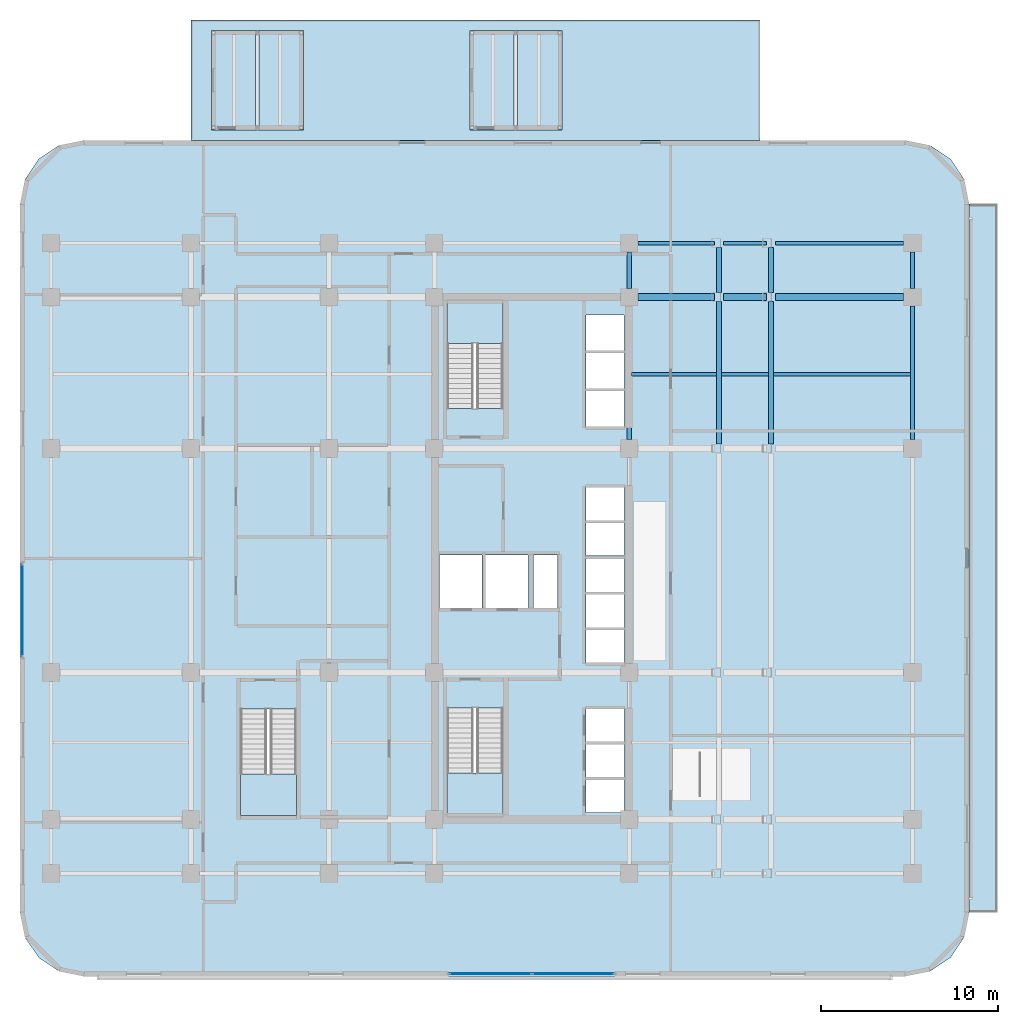
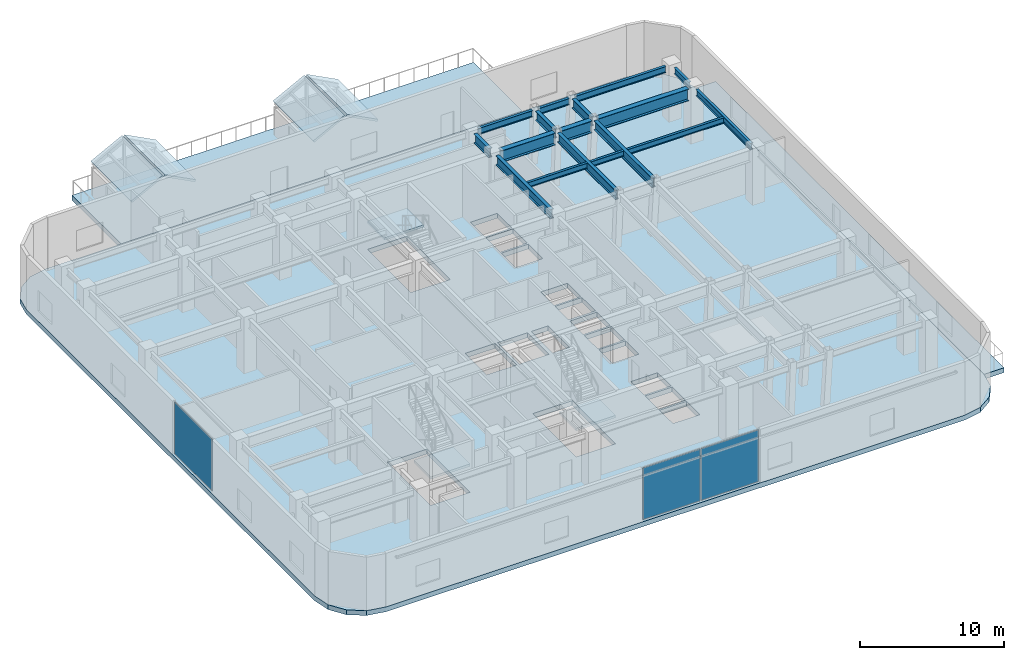
# One storey, part 6 of 18: 17 beams, 10 slabs, 3 plates, 5 elements without a shape of their own.
"""IFC4 building model written with IfcOpenShell, lengths in metres."""

from ifc_helpers import new_model, si_unit, direction, frame, origin, origin_2d, place, context, subcontext, project, spatial, polyline, rectangle, i_section, outline, extrude, material, layer, layer_set, material_profile, profile_set, type_object, element, aggregate, save


model = new_model("IFC4")

# Units and contexts
model_context = context("Model", 3, precision=1e-05, world=origin(), true_north=direction((0.0, 1.0)))
body_context = subcontext(model_context, "Body", "Model", "MODEL_VIEW")
ifc_project = project(units=[si_unit("LENGTHUNIT", "METRE"), si_unit("AREAUNIT", "SQUARE_METRE"), si_unit("VOLUMEUNIT", "CUBIC_METRE"), si_unit("PLANEANGLEUNIT", "RADIAN"), si_unit("MASSUNIT", "GRAM", prefix="KILO")], contexts=[model_context])

# Site, building, storey
site_placement = place(None, origin())
site = spatial("IfcSite", under=ifc_project, at=site_placement, CompositionType="ELEMENT")
building_placement = place(site_placement, origin())
building = spatial("IfcBuilding", under=site, at=building_placement, Name="Ochreholt Gables", CompositionType="ELEMENT")
storey_placement = place(building_placement, frame((0.0, 0.0, 4.800048828125)))
storey = spatial("IfcBuildingStorey", under=building, at=storey_placement, Name="L01", CompositionType="ELEMENT", Elevation=4.800048828125)

# Beams
ifc_material_1 = material(Name="Steel CSA G40.21 350W", Category="steel")
ifc_material_profile_1 = material_profile(ifc_material_1, i_section(OverallWidth=0.39990234375, OverallDepth=1.0, WebThickness=0.0166015625, FlangeThickness=0.031005859375, at=origin_2d()), Name="W1000X321")
ifc_profile_set_1 = profile_set([ifc_material_profile_1], Name="Steel CSA G40.21 350W")
beam_type_1 = type_object("IfcBeamType", Name="BM-G-W1000", PredefinedType="BEAM", material=ifc_profile_set_1)
beam_1_placement = place(storey_placement, frame((35.69970703125, 38.75, 4.02001953125), z_axis=(1.0, 0.0, 0.0), x_axis=(0.0, 1.0, 0.0)))
element("IfcBeam", 1, at=beam_1_placement, inside=storey, type_object=beam_type_1, Name="L01 Beam BG-L01-C2EM-Y5", PredefinedType="BEAM", context=body_context, shape_type="SweptSolid", body=[
    extrude(i_section(OverallWidth=0.39990234375, OverallDepth=1.0, WebThickness=0.0166015625, FlangeThickness=0.031005859375, at=origin_2d()), origin(), (0.0, 0.0, 1.0), 4.32275390625),
])
beam_2_placement = place(storey_placement, frame((40.521484375, 38.75, 4.02001953125), z_axis=(1.0, 0.0, 0.0), x_axis=(0.0, 1.0, 0.0)))
element("IfcBeam", 2, at=beam_2_placement, inside=storey, type_object=beam_type_1, Name="L01 Beam BG-L01-EMEE-Y5", PredefinedType="BEAM", context=body_context, shape_type="SweptSolid", body=[
    extrude(i_section(OverallWidth=0.39990234375, OverallDepth=1.0, WebThickness=0.0166015625, FlangeThickness=0.031005859375, at=origin_2d()), origin(), (0.0, 0.0, 1.0), 2.442626953125),
])
beam_3_placement = place(storey_placement, frame((43.463134765625, 38.75, 4.02001953125), z_axis=(1.0, 0.0, 0.0), x_axis=(0.0, 1.0, 0.0)))
element("IfcBeam", 3, at=beam_3_placement, inside=storey, type_object=beam_type_1, Name="L01 Beam BG-L01-EEE3-Y5", PredefinedType="BEAM", context=body_context, shape_type="SweptSolid", body=[
    extrude(i_section(OverallWidth=0.39990234375, OverallDepth=1.0, WebThickness=0.0166015625, FlangeThickness=0.031005859375, at=origin_2d()), origin(), (0.0, 0.0, 1.0), 7.2373046875),
])
ifc_material_profile_2 = material_profile(ifc_material_1, i_section(OverallWidth=0.26806640625, OverallDepth=0.77001953125, WebThickness=0.015625, FlangeThickness=0.025390625, at=origin_2d()), Name="W760X196")
ifc_profile_set_2 = profile_set([ifc_material_profile_2], Name="Steel CSA G40.21 350W")
beam_type_2 = type_object("IfcBeamType", Name="BM-G-W760", PredefinedType="BEAM", material=ifc_profile_set_2)
beam_4_placement = place(storey_placement, frame((35.199951171875, 30.69970703125, 4.135009765625), z_axis=(0.0, 1.0, 0.0), x_axis=(-1.0, 0.0, 0.0)))
element("IfcBeam", 4, at=beam_4_placement, inside=storey, type_object=beam_type_2, Name="L01 Beam BG-L01-C2-Y4Y5", PredefinedType="BEAM", context=body_context, shape_type="SweptSolid", body=[
    extrude(i_section(OverallWidth=0.26806640625, OverallDepth=0.77001953125, WebThickness=0.015625, FlangeThickness=0.025390625, at=origin_2d()), origin(), (0.0, 0.0, 1.0), 7.55078125),
])
beam_5_placement = place(storey_placement, frame((35.199951171875, 39.24951171875, 4.135009765625), z_axis=(0.0, 1.0, 0.0), x_axis=(-1.0, 0.0, 0.0)))
element("IfcBeam", 5, at=beam_5_placement, inside=storey, type_object=beam_type_2, Name="L01 Beam BG-L01-C2-Y5Y6", PredefinedType="BEAM", context=body_context, shape_type="SweptSolid", body=[
    extrude(i_section(OverallWidth=0.26806640625, OverallDepth=0.77001953125, WebThickness=0.015625, FlangeThickness=0.025390625, at=origin_2d()), origin(), (0.0, 0.0, 1.0), 2.05078125),
])
beam_6_placement = place(storey_placement, frame((40.27197265625, 30.44970703125, 4.135009765625), z_axis=(0.0, 1.0, 0.0), x_axis=(-1.0, 0.0, 0.0)))
element("IfcBeam", 6, at=beam_6_placement, inside=storey, type_object=beam_type_2, Name="L01 Beam BG-L01-EM-Y4Y5", PredefinedType="BEAM", context=body_context, shape_type="SweptSolid", body=[
    extrude(i_section(OverallWidth=0.26806640625, OverallDepth=0.77001953125, WebThickness=0.015625, FlangeThickness=0.025390625, at=origin_2d()), origin(), (0.0, 0.0, 1.0), 8.05078125),
])
beam_7_placement = place(storey_placement, frame((40.27197265625, 38.99951171875, 4.135009765625), z_axis=(0.0, 1.0, 0.0), x_axis=(-1.0, 0.0, 0.0)))
element("IfcBeam", 7, at=beam_7_placement, inside=storey, type_object=beam_type_2, Name="L01 Beam BG-L01-EM-Y5Y6", PredefinedType="BEAM", context=body_context, shape_type="SweptSolid", body=[
    extrude(i_section(OverallWidth=0.26806640625, OverallDepth=0.77001953125, WebThickness=0.015625, FlangeThickness=0.025390625, at=origin_2d()), origin(), (0.0, 0.0, 1.0), 2.55078125),
])
beam_8_placement = place(storey_placement, frame((43.213623046875, 30.44970703125, 4.135009765625), z_axis=(0.0, 1.0, 0.0), x_axis=(-1.0, 0.0, 0.0)))
element("IfcBeam", 8, at=beam_8_placement, inside=storey, type_object=beam_type_2, Name="L01 Beam BG-L01-EE-Y4Y5", PredefinedType="BEAM", context=body_context, shape_type="SweptSolid", body=[
    extrude(i_section(OverallWidth=0.26806640625, OverallDepth=0.77001953125, WebThickness=0.015625, FlangeThickness=0.025390625, at=origin_2d()), origin(), (0.0, 0.0, 1.0), 8.05078125),
])
beam_9_placement = place(storey_placement, frame((43.213623046875, 38.99951171875, 4.135009765625), z_axis=(0.0, 1.0, 0.0), x_axis=(-1.0, 0.0, 0.0)))
element("IfcBeam", 9, at=beam_9_placement, inside=storey, type_object=beam_type_2, Name="L01 Beam BG-L01-EE-Y5Y6", PredefinedType="BEAM", context=body_context, shape_type="SweptSolid", body=[
    extrude(i_section(OverallWidth=0.26806640625, OverallDepth=0.77001953125, WebThickness=0.015625, FlangeThickness=0.025390625, at=origin_2d()), origin(), (0.0, 0.0, 1.0), 2.55078125),
])
ifc_material_profile_3 = material_profile(ifc_material_1, i_section(OverallWidth=0.18994140625, OverallDepth=0.45703125, WebThickness=0.009033203125, FlangeThickness=0.014404296875, at=origin_2d()), Name="W460X74")
ifc_profile_set_3 = profile_set([ifc_material_profile_3], Name="Steel CSA G40.21 350W")
beam_type_3 = type_object("IfcBeamType", Name="BM-J-W460B", PredefinedType="JOIST", material=ifc_profile_set_3)
beam_10_placement = place(storey_placement, frame((35.33349609375, 34.39990234375, 4.29150390625), z_axis=(1.0, 0.0, 0.0), x_axis=(0.0, 1.0, 0.0)))
element("IfcBeam", 10, at=beam_10_placement, inside=storey, type_object=beam_type_3, Name="L01 Beam BJ-L01-J2-C2EM", PredefinedType="JOIST", context=body_context, shape_type="SweptSolid", body=[
    extrude(i_section(OverallWidth=0.18994140625, OverallDepth=0.45703125, WebThickness=0.009033203125, FlangeThickness=0.014404296875, at=origin_2d()), origin(), (0.0, 0.0, 1.0), 4.804931640625),
])
beam_11_placement = place(storey_placement, frame((40.405517578125, 34.39990234375, 4.29150390625), z_axis=(1.0, 0.0, 0.0), x_axis=(0.0, 1.0, 0.0)))
element("IfcBeam", 11, at=beam_11_placement, inside=storey, type_object=beam_type_3, Name="L01 Beam BJ-L01-J2-EMEE", PredefinedType="JOIST", context=body_context, shape_type="SweptSolid", body=[
    extrude(i_section(OverallWidth=0.18994140625, OverallDepth=0.45703125, WebThickness=0.009033203125, FlangeThickness=0.014404296875, at=origin_2d()), origin(), (0.0, 0.0, 1.0), 2.674560546875),
])
beam_12_placement = place(storey_placement, frame((43.34716796875, 34.39990234375, 4.29150390625), z_axis=(1.0, 0.0, 0.0), x_axis=(0.0, 1.0, 0.0)))
element("IfcBeam", 12, at=beam_12_placement, inside=storey, type_object=beam_type_3, Name="L01 Beam BJ-L01-J2-EEE3", PredefinedType="JOIST", context=body_context, shape_type="SweptSolid", body=[
    extrude(i_section(OverallWidth=0.18994140625, OverallDepth=0.45703125, WebThickness=0.009033203125, FlangeThickness=0.014404296875, at=origin_2d()), origin(), (0.0, 0.0, 1.0), 7.748779296875),
])
ifc_material_profile_4 = material_profile(ifc_material_1, i_section(OverallWidth=0.208984375, OverallDepth=0.532958984375, WebThickness=0.01025390625, FlangeThickness=0.015625, at=origin_2d()), Name="W530X92")
ifc_profile_set_4 = profile_set([ifc_material_profile_4], Name="Steel CSA G40.21 350W")
beam_type_4 = type_object("IfcBeamType", Name="BM-SP-W530B", PredefinedType="SPANDREL", material=ifc_profile_set_4)
beam_13_placement = place(storey_placement, frame((35.69970703125, 41.800048828125, 4.25341796875), z_axis=(1.0, 0.0, 0.0), x_axis=(0.0, 1.0, 0.0)))
element("IfcBeam", 13, at=beam_13_placement, inside=storey, type_object=beam_type_4, Name="L01 Beam BG-L01-C2EM-Y6", PredefinedType="SPANDREL", context=body_context, shape_type="SweptSolid", body=[
    extrude(i_section(OverallWidth=0.208984375, OverallDepth=0.532958984375, WebThickness=0.01025390625, FlangeThickness=0.015625, at=origin_2d()), origin(), (0.0, 0.0, 1.0), 4.32275390625),
])
beam_14_placement = place(storey_placement, frame((40.521484375, 41.800048828125, 4.25341796875), z_axis=(1.0, 0.0, 0.0), x_axis=(0.0, 1.0, 0.0)))
element("IfcBeam", 14, at=beam_14_placement, inside=storey, type_object=beam_type_4, Name="L01 Beam BG-L01-EMEE-Y6", PredefinedType="SPANDREL", context=body_context, shape_type="SweptSolid", body=[
    extrude(i_section(OverallWidth=0.208984375, OverallDepth=0.532958984375, WebThickness=0.01025390625, FlangeThickness=0.015625, at=origin_2d()), origin(), (0.0, 0.0, 1.0), 2.442626953125),
])
beam_15_placement = place(storey_placement, frame((43.463134765625, 41.800048828125, 4.25341796875), z_axis=(1.0, 0.0, 0.0), x_axis=(0.0, 1.0, 0.0)))
element("IfcBeam", 15, at=beam_15_placement, inside=storey, type_object=beam_type_4, Name="L01 Beam BG-L01-EEE3-Y6", PredefinedType="SPANDREL", context=body_context, shape_type="SweptSolid", body=[
    extrude(i_section(OverallWidth=0.208984375, OverallDepth=0.532958984375, WebThickness=0.01025390625, FlangeThickness=0.015625, at=origin_2d()), origin(), (0.0, 0.0, 1.0), 7.2373046875),
])
beam_16_placement = place(storey_placement, frame((51.199951171875, 30.69970703125, 4.25341796875), z_axis=(0.0, 1.0, 0.0), x_axis=(-1.0, 0.0, 0.0)))
element("IfcBeam", 16, at=beam_16_placement, inside=storey, type_object=beam_type_4, Name="L01 Beam BG-L01-E3-Y4Y5", PredefinedType="SPANDREL", context=body_context, shape_type="SweptSolid", body=[
    extrude(i_section(OverallWidth=0.208984375, OverallDepth=0.532958984375, WebThickness=0.01025390625, FlangeThickness=0.015625, at=origin_2d()), origin(), (0.0, 0.0, 1.0), 7.55078125),
])
beam_17_placement = place(storey_placement, frame((51.199951171875, 39.24951171875, 4.25341796875), z_axis=(0.0, 1.0, 0.0), x_axis=(-1.0, 0.0, 0.0)))
element("IfcBeam", 17, at=beam_17_placement, inside=storey, type_object=beam_type_4, Name="L01 Beam BG-L01-E3-Y5Y6", PredefinedType="SPANDREL", context=body_context, shape_type="SweptSolid", body=[
    extrude(i_section(OverallWidth=0.208984375, OverallDepth=0.532958984375, WebThickness=0.01025390625, FlangeThickness=0.015625, at=origin_2d()), origin(), (0.0, 0.0, 1.0), 2.05078125),
])

# Curtain wall, plates
ifc_material_2 = material(Name="Unitised Aluminium and Triple Glazing", Category="aluminium")
ifc_layer_1 = layer(ifc_material_2, 0.199951171875, Name="Unitised Aluminium and Triple Glazing")
ifc_layer_set_1 = layer_set([ifc_layer_1], Name="Unitised Aluminium and Triple Glazing")
curtain_wall_type = type_object("IfcCurtainWallType", Name="CW-SYS1", PredefinedType="NOTDEFINED", material=ifc_layer_set_1)
curtain_wall_1_placement = place(storey_placement, origin())
curtain_wall_1 = element("IfcCurtainWall", 18, at=curtain_wall_1_placement, inside=storey, type_object=curtain_wall_type, Name="L01 South Unitised Curtain Wall", PredefinedType="NOTDEFINED")
ifc_material_3 = material(Name="Triple Low-E Insulating Glass", Category="glass")
ifc_layer_2 = layer(ifc_material_3, 0.035888671875, Name="Triple Low-E Insulating Glass")
ifc_layer_set_2 = layer_set([ifc_layer_2], Name="Triple Low-E Insulating Glass")
plate_type = type_object("IfcPlateType", Name="CW-PNL-36", PredefinedType="CURTAIN_PANEL", material=ifc_layer_set_2)
plate_1_placement = place(storey_placement, frame((27.36865234375, 0.544921875, 0.074951171875), z_axis=(0.0, 0.0, 1.0), x_axis=(1.0, 0.0, 0.0)))
plate_1 = element("IfcPlate", 19, at=plate_1_placement, type_object=plate_type, Name="CW-1 panel 1.1", PredefinedType="CURTAIN_PANEL", context=body_context, shape_type="SweptSolid", body=[
    extrude(rectangle(XDim=4.58740234375, YDim=0.035888671875, at=origin_2d()), origin(), (0.0, 0.0, 1.0), 4.3701171875),
])
plate_2_placement = place(storey_placement, frame((32.03125, 0.544921875, 0.074951171875), z_axis=(0.0, 0.0, 1.0), x_axis=(1.0, 0.0, 0.0)))
plate_2 = element("IfcPlate", 20, at=plate_2_placement, type_object=plate_type, Name="CW-1 panel 2.1", PredefinedType="CURTAIN_PANEL", context=body_context, shape_type="SweptSolid", body=[
    extrude(rectangle(XDim=4.58740234375, YDim=0.035888671875, at=origin_2d()), origin(), (0.0, 0.0, 1.0), 4.3701171875),
])
aggregate(curtain_wall_1, [plate_1, plate_2])

# Curtain wall, plate
curtain_wall_2_placement = place(storey_placement, origin())
curtain_wall_2 = element("IfcCurtainWall", 21, at=curtain_wall_2_placement, inside=storey, type_object=curtain_wall_type, Name="L01 West Unitised Curtain Wall", PredefinedType="NOTDEFINED")
plate_3_placement = place(storey_placement, frame((0.945068359375, 21.074951171875, 0.074951171875), z_axis=(0.0, 0.0, 1.0), x_axis=(0.0, -1.0, 0.0)))
plate_3 = element("IfcPlate", 22, at=plate_3_placement, type_object=plate_type, Name="CW-1 panel 1.1", PredefinedType="CURTAIN_PANEL", context=body_context, shape_type="SweptSolid", body=[
    extrude(rectangle(XDim=5.199951171875, YDim=0.035888671875, at=origin_2d()), origin(), (0.0, 0.0, 1.0), 4.3701171875),
])
aggregate(curtain_wall_2, [plate_3])

# Stair, slab
ifc_material_4 = material(Name="Concrete 40 MPa", Category="concrete")
stair_type_1 = type_object("IfcStairType", Name="STAIR-CORE-ST-1", PredefinedType="HALF_TURN_STAIR", material=ifc_material_4)
stair_1_placement = place(storey_placement, origin())
stair_1 = element("IfcStair", 23, at=stair_1_placement, inside=storey, type_object=stair_type_1, Name="L01 Core Exit Stair 1", PredefinedType="HALF_TURN_STAIR")
ifc_layer_3 = layer(ifc_material_4, 0.199951171875, Name="Concrete 40 MPa")
ifc_layer_set_3 = layer_set([ifc_layer_3], Name="Concrete 40 MPa")
slab_type_1 = type_object("IfcSlabType", Name="LANDING-RC200", PredefinedType="LANDING", material=ifc_layer_set_3)
slab_1_placement = place(storey_placement, frame((0.0, 0.0, 2.199951171875)))
slab_1 = element("IfcSlab", 24, at=slab_1_placement, type_object=slab_type_1, Name="ST-1 landing 1", PredefinedType="LANDING", context=body_context, shape_type="SweptSolid", body=[
    extrude(outline(polyline([(24.919921875, 11.8740234375), (24.919921875, 9.52001953125), (28.080078125, 9.52001953125), (28.080078125, 11.8740234375), (24.919921875, 11.8740234375)])), origin(), (0.0, 0.0, 1.0), 0.199951171875),
])
aggregate(stair_1, [slab_1])

stair_type_2 = type_object("IfcStairType", Name="STAIR-CORE-ST-2", PredefinedType="HALF_TURN_STAIR", material=ifc_material_4)
stair_2_placement = place(storey_placement, origin())
stair_2 = element("IfcStair", 25, at=stair_2_placement, inside=storey, type_object=stair_type_2, Name="L01 Core Exit Stair 2", PredefinedType="HALF_TURN_STAIR")
slab_2_placement = place(storey_placement, frame((0.0, 0.0, 2.199951171875)))
slab_2 = element("IfcSlab", 26, at=slab_2_placement, type_object=slab_type_1, Name="ST-2 landing 1", PredefinedType="LANDING", context=body_context, shape_type="SweptSolid", body=[
    extrude(outline(polyline([(28.080078125, 36.1259765625), (28.080078125, 38.47998046875), (24.919921875, 38.47998046875), (24.919921875, 36.1259765625), (28.080078125, 36.1259765625)])), origin(), (0.0, 0.0, 1.0), 0.199951171875),
])
aggregate(stair_2, [slab_2])

stair_type_3 = type_object("IfcStairType", Name="STAIR-CORE-ST-P1", PredefinedType="HALF_TURN_STAIR", material=ifc_material_4)
stair_3_placement = place(storey_placement, origin())
stair_3 = element("IfcStair", 27, at=stair_3_placement, inside=storey, type_object=stair_type_3, Name="L01 Podium Exit Stair 3", PredefinedType="HALF_TURN_STAIR")
slab_3_placement = place(storey_placement, frame((0.0, 0.0, 2.199951171875)))
slab_3 = element("IfcSlab", 28, at=slab_3_placement, type_object=slab_type_1, Name="ST-P1 landing 1", PredefinedType="LANDING", context=body_context, shape_type="SweptSolid", body=[
    extrude(outline(polyline([(13.25, 11.833984375), (13.25, 9.47998046875), (16.409912109375, 9.47998046875), (16.409912109375, 11.833984375), (13.25, 11.833984375)])), origin(), (0.0, 0.0, 1.0), 0.199951171875),
])
aggregate(stair_3, [slab_3])

# Slabs
ifc_material_5 = material(Name="Precast concrete 40 MPa", Category="concrete")
ifc_layer_4 = layer(ifc_material_5, 0.179931640625, Name="Precast concrete 40 MPa")
ifc_layer_set_4 = layer_set([ifc_layer_4], Name="Precast concrete 40 MPa")
slab_type_2 = type_object("IfcSlabType", Name="SLAB-GAB-180", PredefinedType="ROOF", material=ifc_layer_set_4)
slab_4_placement = place(storey_placement, frame((11.60009765625, 48.199951171875, 2.849853515625), z_axis=(-0.460878232008, 0.0, 0.887463382491), x_axis=(0.887463382491, 0.0, 0.460878232008)))
element("IfcSlab", 29, at=slab_4_placement, inside=storey, type_object=slab_type_2, Name="L01 Gable West Roof Slope GB-01N1", PredefinedType="ROOF", context=body_context, shape_type="SweptSolid", body=[
    extrude(outline(polyline([(0.0, 0.0), (2.819218431276243, 0.0), (2.819218431276243, 5.60009765625), (0.0, 5.60009765625), (0.0, 0.0)])), origin(), (0.0, 0.0, -1.0), 0.179931640625),
])
for number, where, z_axis, x_axis, name in (
    (30, (14.2978515625, 48.199951171875, 4.149169921875), (0.460842814411, 0.0, 0.887481774689), (0.887481774689, 0.0, -0.460842814411), "L01 Gable East Roof Slope GB-01N1"),
    (31, (26.199951171875, 48.199951171875, 2.849853515625), (-0.460842814411, 0.0, 0.887481774689), (0.887481774689, 0.0, 0.460842814411), "L01 Gable West Roof Slope GB-01N2"),
):
    element("IfcSlab", number, at=place(storey_placement, frame(where, z_axis=z_axis, x_axis=x_axis)), inside=storey, type_object=slab_type_2, Name=name, PredefinedType="ROOF", context=body_context, shape_type="SweptSolid", body=[
        extrude(outline(polyline([(0.0, 0.0), (2.819435099386337, 0.0), (2.819435099386337, 5.60009765625), (0.0, 5.60009765625), (0.0, 0.0)])), origin(), (0.0, 0.0, -1.0), 0.179931640625),
    ])
slab_5_placement = place(storey_placement, frame((28.89794921875, 48.199951171875, 4.149169921875), z_axis=(0.460878232008, 0.0, 0.887463382491), x_axis=(0.887463382491, 0.0, -0.460878232008)))
element("IfcSlab", 32, at=slab_5_placement, inside=storey, type_object=slab_type_2, Name="L01 Gable East Roof Slope GB-01N2", PredefinedType="ROOF", context=body_context, shape_type="SweptSolid", body=[
    extrude(outline(polyline([(0.0, 0.0), (2.819218431276243, 0.0), (2.819218431276243, 5.60009765625), (0.0, 5.60009765625), (0.0, 0.0)])), origin(), (0.0, 0.0, -1.0), 0.179931640625),
])
ifc_material_6 = material(Name="Concrete 50 MPa", Category="concrete")
ifc_layer_5 = layer(ifc_material_6, 0.409912109375, Name="Concrete 50 MPa")
ifc_layer_set_5 = layer_set([ifc_layer_5], Name="Concrete 50 MPa")
slab_type_3 = type_object("IfcSlabType", Name="SLAB-TER-410", PredefinedType="FLOOR", material=ifc_layer_set_5)
slab_6_placement = place(storey_placement, frame((0.0, 0.0, -0.41015625)))
element("IfcSlab", 33, at=slab_6_placement, inside=storey, type_object=slab_type_3, Name="L01 Structural Floor Slab", PredefinedType="FLOOR", context=body_context, shape_type="SweptSolid", body=[
    extrude(outline(polyline([(0.800048828125, 4.0), (1.073974609375, 2.622314453125), (1.8544921875, 1.454345703125), (3.022216796875, 0.674072265625), (4.39990234375, 0.39990234375), (50.800048828125, 0.39990234375), (52.177734375, 0.674072265625), (53.345703125, 1.454345703125), (54.1259765625, 2.622314453125), (54.39990234375, 4.0), (54.39990234375, 44.0), (54.1259765625, 45.377685546875), (53.345703125, 46.545654296875), (52.177734375, 47.325927734375), (50.800048828125, 47.60009765625), (4.39990234375, 47.60009765625), (3.022216796875, 47.325927734375), (1.8544921875, 46.545654296875), (1.073974609375, 45.377685546875), (0.800048828125, 44.0), (0.800048828125, 4.0)]), holes=[polyline([(24.919921875, 15.539306640625), (24.919921875, 9.52001953125), (28.080078125, 9.52001953125), (28.080078125, 15.539306640625), (24.919921875, 15.539306640625)]), polyline([(28.080078125, 32.460693359375), (28.080078125, 38.47998046875), (24.919921875, 38.47998046875), (24.919921875, 32.460693359375), (28.080078125, 32.460693359375)]), polyline([(13.25, 15.499267578125), (13.25, 9.47998046875), (16.409912109375, 9.47998046875), (16.409912109375, 15.499267578125), (13.25, 15.499267578125)]), polyline([(24.5, 21.199951171875), (26.89990234375, 21.199951171875), (26.89990234375, 24.199951171875), (24.5, 24.199951171875), (24.5, 21.199951171875)]), polyline([(27.10009765625, 21.199951171875), (29.5, 21.199951171875), (29.5, 24.199951171875), (27.10009765625, 24.199951171875), (27.10009765625, 21.199951171875)]), polyline([(32.75, 9.64990234375), (34.89990234375, 9.64990234375), (34.89990234375, 11.5), (32.75, 11.5), (32.75, 9.64990234375)]), polyline([(32.75, 11.64990234375), (34.89990234375, 11.64990234375), (34.89990234375, 13.5), (32.75, 13.5), (32.75, 11.64990234375)]), polyline([(32.75, 13.64990234375), (34.89990234375, 13.64990234375), (34.89990234375, 15.5), (32.75, 15.5), (32.75, 13.64990234375)]), polyline([(32.75, 18.10009765625), (34.89990234375, 18.10009765625), (34.89990234375, 19.949951171875), (32.75, 19.949951171875), (32.75, 18.10009765625)]), polyline([(32.75, 20.10009765625), (34.89990234375, 20.10009765625), (34.89990234375, 21.949951171875), (32.75, 21.949951171875), (32.75, 20.10009765625)]), polyline([(32.75, 22.10009765625), (34.89990234375, 22.10009765625), (34.89990234375, 23.949951171875), (32.75, 23.949951171875), (32.75, 22.10009765625)]), polyline([(32.75, 24.14990234375), (34.89990234375, 24.14990234375), (34.89990234375, 26.0), (32.75, 26.0), (32.75, 24.14990234375)]), polyline([(32.75, 26.14990234375), (34.89990234375, 26.14990234375), (34.89990234375, 28.0), (32.75, 28.0), (32.75, 26.14990234375)]), polyline([(32.75, 31.449951171875), (34.89990234375, 31.449951171875), (34.89990234375, 33.449951171875), (32.75, 33.449951171875), (32.75, 31.449951171875)]), polyline([(32.75, 33.60009765625), (34.89990234375, 33.60009765625), (34.89990234375, 35.60009765625), (32.75, 35.60009765625), (32.75, 33.60009765625)]), polyline([(32.75, 35.75), (34.89990234375, 35.75), (34.89990234375, 37.75), (32.75, 37.75), (32.75, 35.75)]), polyline([(29.800048828125, 21.199951171875), (31.14990234375, 21.199951171875), (31.14990234375, 24.199951171875), (29.800048828125, 24.199951171875), (29.800048828125, 21.199951171875)])]), origin(), (0.0, 0.0, 1.0), 0.41015625),
])
slab_7_placement = place(storey_placement, frame((0.0, 0.0, -0.41015625)))
element("IfcSlab", 34, at=slab_7_placement, inside=storey, type_object=slab_type_3, Name="L01 Outdoor Terrace Slab TR-L01-E", PredefinedType="FLOOR", context=body_context, shape_type="SweptSolid", body=[
    extrude(outline(polyline([(54.400146484375, 4.0), (56.0, 4.0), (56.0, 44.0), (54.400146484375, 44.0), (54.400146484375, 4.0)])), origin(), (0.0, 0.0, 1.0), 0.41015625),
])
slab_8_placement = place(storey_placement, frame((0.0, 0.0, -0.41015625)))
element("IfcSlab", 35, at=slab_8_placement, inside=storey, type_object=slab_type_3, Name="L01 Outdoor Terrace Slab TR-L01-N", PredefinedType="FLOOR", context=body_context, shape_type="SweptSolid", body=[
    extrude(outline(polyline([(10.449951171875, 47.60009765625), (42.60009765625, 47.60009765625), (42.60009765625, 54.39990234375), (10.449951171875, 54.39990234375), (10.449951171875, 47.60009765625)])), origin(), (0.0, 0.0, 1.0), 0.41015625),
])

save(model, "model.ifc")
